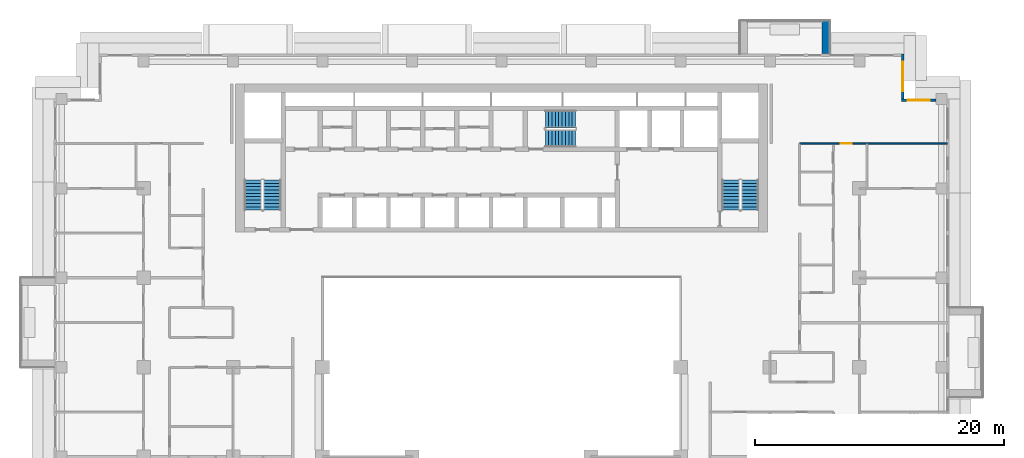
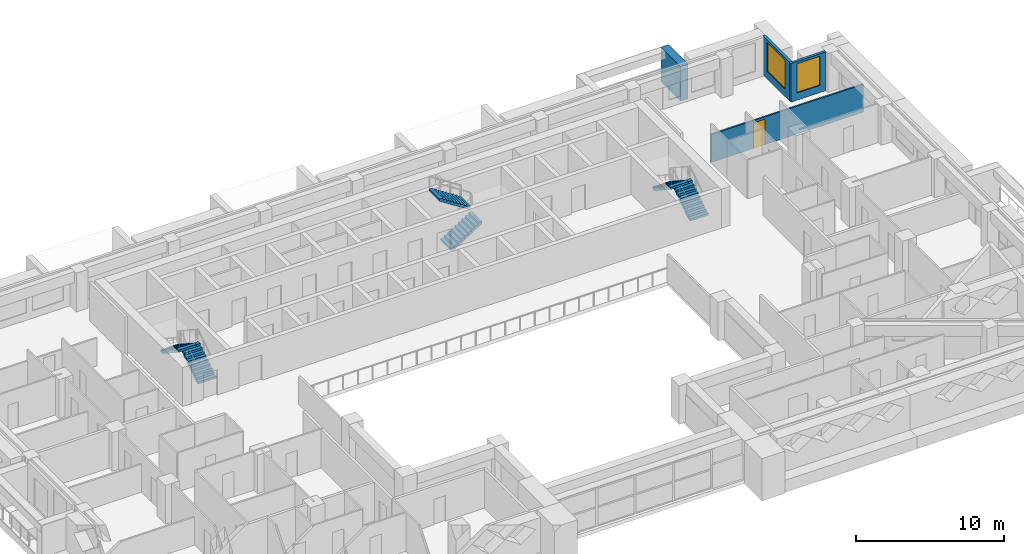
# One storey, part 12 of 19: 6 stair flights, 4 walls, 2 windows, 1 door, 3 openings, 3 elements without a shape of their own.
"""IFC4 building model written with IfcOpenShell, lengths in metres."""

from ifc_helpers import new_model, si_unit, direction, frame, frame_2d, origin, place, context, subcontext, project, spatial, polyline, rectangle, outline, extrude, material, layer, layer_set, type_object, element, fill, aggregate, save


model = new_model("IFC4")

# Units and contexts
model_context = context("Model", 3, precision=1e-05, world=origin(), true_north=direction((0.0, 1.0)))
body_context = subcontext(model_context, "Body", "Model", "MODEL_VIEW")
ifc_project = project(units=[si_unit("LENGTHUNIT", "METRE"), si_unit("AREAUNIT", "SQUARE_METRE"), si_unit("VOLUMEUNIT", "CUBIC_METRE"), si_unit("PLANEANGLEUNIT", "RADIAN"), si_unit("MASSUNIT", "GRAM", prefix="KILO")], contexts=[model_context])

# Site, building, storey
site_placement = place(None, origin())
site = spatial("IfcSite", under=ifc_project, at=site_placement, CompositionType="ELEMENT")
building_placement = place(site_placement, origin())
building = spatial("IfcBuilding", under=site, at=building_placement, Name="Saffron Iwan Residences", CompositionType="ELEMENT")
storey_placement = place(building_placement, frame((0.0, 0.0, 120.0)))
storey = spatial("IfcBuildingStorey", under=building, at=storey_placement, Name="L31", CompositionType="ELEMENT", Elevation=120.0)

# Wall
ifc_material_1 = material(Name="Concrete C50/60 white painted", Category="concrete")
ifc_layer_1 = layer(ifc_material_1, 0.60009765625)
ifc_layer_set_1 = layer_set([ifc_layer_1], Name="Concrete C50/60 white painted")
wall_type_1 = type_object("IfcWallType", Name="BALCONY FIN 600", PredefinedType="SOLIDWALL", material=ifc_layer_set_1)
wall_1_placement = place(storey_placement, frame((76.5, 80.449951171875, 0.0), z_axis=(0.0, 0.0, 1.0), x_axis=(0.0, 1.0, 0.0)))
element("IfcWall", 1, at=wall_1_placement, inside=storey, type_object=wall_type_1, Name="Balcony fin L31 F5-0a", PredefinedType="SOLIDWALL", context=body_context, shape_type="SweptSolid", body=[
    extrude(rectangle(XDim=2.650146484375, YDim=0.60009765625, at=frame_2d((1.3251953125, 0.0))), origin(), (0.0, 0.0, 1.0), 2.85009765625),
])

# Wall, opening, window
ifc_material_2 = material(Name="Concrete C40/50", Category="concrete")
ifc_layer_2 = layer(ifc_material_2, 0.199951171875)
ifc_layer_set_2 = layer_set([ifc_layer_2], Name="Concrete C40/50")
wall_type_2 = type_object("IfcWallType", Name="EXTERNAL WALL 200", PredefinedType="SOLIDWALL", material=ifc_layer_set_2)
wall_2_placement = place(storey_placement, frame((85.35009765625, 76.699951171875, 0.0), z_axis=(0.0, 0.0, 1.0), x_axis=(-1.0, 0.0, 0.0)))
wall_2 = element("IfcWall", 2, at=wall_2_placement, inside=storey, type_object=wall_type_2, Name="External wall L31 F3.0", PredefinedType="SOLIDWALL", context=body_context, shape_type="SweptSolid", body=[
    extrude(rectangle(XDim=2.75, YDim=0.199951171875, at=frame_2d((1.375, 0.0))), origin(), (0.0, 0.0, 1.0), 3.199951171875),
])
opening_1_placement = place(wall_2_placement, frame((0.47509765625, 0.0, 0.60009765625)))
opening_1 = element("IfcOpeningElement", 3, at=opening_1_placement, cuts=wall_2, Name="Opening W8", PredefinedType="OPENING", context=body_context, shape_type="SweptSolid", body=[
    extrude(rectangle(XDim=1.800048828125, YDim=2.39990234375, at=frame_2d((0.89990234375, 1.199951171875))), frame((0.0, 0.10986328125, 0.0), z_axis=(0.0, -1.0, 0.0), x_axis=(1.0, 0.0, 0.0)), (0.0, 0.0, 1.0), 0.219970703125),
])
ifc_material_3 = material(Name="Clear glass, laminated double glazed", Category="glass")
window_type_1 = type_object("IfcWindowType", Name="WINDOW 1800 x 2400", PartitioningType="DOUBLE_PANEL_VERTICAL", PredefinedType="WINDOW", material=ifc_material_3)
window_1_placement = place(opening_1_placement, origin())
window_1 = element("IfcWindow", 4, at=window_1_placement, inside=storey, type_object=window_type_1, Name="Window L31 F3.0", OverallHeight=2.39990234375, OverallWidth=1.800048828125, PartitioningType="DOUBLE_PANEL_VERTICAL", PredefinedType="WINDOW", context=body_context, shape_type="SweptSolid", body=[
    extrude(rectangle(XDim=1.800048828125, YDim=2.39990234375, at=frame_2d((0.89990234375, 1.199951171875))), frame((0.0, 0.030029296875, 0.0), z_axis=(0.0, -1.0, 0.0), x_axis=(1.0, 0.0, 0.0)), (0.0, 0.0, 1.0), 0.06005859375),
])
fill(opening_1, window_1)

wall_3_placement = place(storey_placement, frame((82.699951171875, 76.800048828125, 0.0), z_axis=(0.0, 0.0, 1.0), x_axis=(0.0, 1.0, 0.0)))
wall_3 = element("IfcWall", 5, at=wall_3_placement, inside=storey, type_object=wall_type_2, Name="External wall L31 F4.0", PredefinedType="SOLIDWALL", context=body_context, shape_type="SweptSolid", body=[
    extrude(rectangle(XDim=3.599853515625, YDim=0.199951171875, at=frame_2d((1.7998046875, 0.0))), origin(), (0.0, 0.0, 1.0), 3.199951171875),
])
opening_2_placement = place(wall_3_placement, frame((0.60009765625, 0.0, 0.60009765625)))
opening_2 = element("IfcOpeningElement", 6, at=opening_2_placement, cuts=wall_3, Name="Opening W1", PredefinedType="OPENING", context=body_context, shape_type="SweptSolid", body=[
    extrude(rectangle(XDim=2.39990234375, YDim=2.39990234375, at=frame_2d((1.199951171875, 1.199951171875))), frame((0.0, 0.10986328125, 0.0), z_axis=(0.0, -1.0, 0.0), x_axis=(1.0, 0.0, 0.0)), (0.0, 0.0, 1.0), 0.219970703125),
])
window_type_2 = type_object("IfcWindowType", Name="WINDOW 2400 x 2400", PartitioningType="DOUBLE_PANEL_VERTICAL", PredefinedType="WINDOW", material=ifc_material_3)
window_2_placement = place(opening_2_placement, origin())
window_2 = element("IfcWindow", 7, at=window_2_placement, inside=storey, type_object=window_type_2, Name="Window L31 F4.0", OverallHeight=2.39990234375, OverallWidth=2.39990234375, PartitioningType="DOUBLE_PANEL_VERTICAL", PredefinedType="WINDOW", context=body_context, shape_type="SweptSolid", body=[
    extrude(rectangle(XDim=2.39990234375, YDim=2.39990234375, at=frame_2d((1.199951171875, 1.199951171875))), frame((0.0, 0.030029296875, 0.0), z_axis=(0.0, -1.0, 0.0), x_axis=(1.0, 0.0, 0.0)), (0.0, 0.0, 1.0), 0.06005859375),
])
fill(opening_2, window_2)

# Wall, opening, door
ifc_material_4 = material(Name="Gypsum board partition")
ifc_layer_3 = layer(ifc_material_4, 0.1201171875)
ifc_layer_set_3 = layer_set([ifc_layer_3], Name="Gypsum board partition")
wall_type_3 = type_object("IfcWallType", Name="Flat partition 120", PredefinedType="PARTITIONING", material=ifc_layer_set_3)
wall_4_placement = place(storey_placement, frame((74.39990234375, 73.199951171875, 0.0), z_axis=(0.0, 0.0, 1.0), x_axis=(1.0, 0.0, 0.0)))
wall_4 = element("IfcWall", 8, at=wall_4_placement, inside=storey, type_object=wall_type_3, Name="W-L31-PART-h73.2-74.4", PredefinedType="PARTITIONING", context=body_context, shape_type="SweptSolid", body=[
    extrude(rectangle(XDim=11.875, YDim=0.1201171875, at=frame_2d((5.9375, 0.0))), origin(), (0.0, 0.0, 1.0), 2.300048828125),
])
opening_3_placement = place(wall_4_placement, frame((3.300048828125, 0.0, 0.0)))
opening_3 = element("IfcOpeningElement", 9, at=opening_3_placement, cuts=wall_4, Name="Opening FD2", PredefinedType="OPENING", context=body_context, shape_type="SweptSolid", body=[
    extrude(rectangle(XDim=0.89990234375, YDim=2.10009765625, at=frame_2d((0.449951171875, 1.050048828125))), frame((0.0, 0.070068359375, 0.0), z_axis=(0.0, -1.0, 0.0), x_axis=(1.0, 0.0, 0.0)), (0.0, 0.0, 1.0), 0.14013671875),
])
ifc_material_5 = material(Name="Timber door", Category="wood")
door_type = type_object("IfcDoorType", Name="Flat door 900", OperationType="NOTDEFINED", PredefinedType="DOOR", material=ifc_material_5)
door_placement = place(opening_3_placement, origin())
door = element("IfcDoor", 10, at=door_placement, inside=storey, type_object=door_type, Name="Door L31-033", OperationType="SINGLE_SWING_RIGHT", OverallHeight=2.10009765625, OverallWidth=0.89990234375, PredefinedType="DOOR", context=body_context, shape_type="SweptSolid", body=[
    extrude(rectangle(XDim=0.89990234375, YDim=2.10009765625, at=frame_2d((0.449951171875, 1.050048828125))), frame((0.0, 0.02490234375, 0.0), z_axis=(0.0, -1.0, 0.0), x_axis=(1.0, 0.0, 0.0)), (0.0, 0.0, 1.0), 0.050048828125),
])
fill(opening_3, door)

# Stair, stair flights
ifc_material_6 = material(Name="Concrete C50/60", Category="concrete")
stair_type = type_object("IfcStairType", Name="Stair ST-CORE", PredefinedType="HALF_TURN_STAIR", material=ifc_material_6)
stair_1_placement = place(storey_placement, origin())
stair_1 = element("IfcStair", 11, at=stair_1_placement, inside=storey, type_object=stair_type, Name="L31 Exit Stair ST-W", PredefinedType="HALF_TURN_STAIR")
ifc_layer_4 = layer(ifc_material_6, 0.14990234375)
ifc_layer_set_4 = layer_set([ifc_layer_4], Name="Concrete C50/60")
stair_flight_type = type_object("IfcStairFlightType", Name="Stair flight SFL-RC", PredefinedType="STRAIGHT", material=ifc_layer_set_4)
stair_flight_1_placement = place(storey_placement, frame((31.949951171875, 67.85009765625, 0.0), z_axis=(0.0, 0.0, 1.0), x_axis=(0.0, 1.0, 0.0)))
stair_flight_1 = element("IfcStairFlight", 12, at=stair_flight_1_placement, type_object=stair_flight_type, Name="ST-W flight 1", NumberOfRisers=10, NumberOfTreads=9, PredefinedType="STRAIGHT", RiserHeight=0.175, TreadLength=0.27, context=body_context, shape_type="SweptSolid", body=[
    extrude(outline(polyline([(0.0, 0.0), (0.0, 0.175048828125), (0.27001953125, 0.175048828125), (0.27001953125, 0.35009765625), (0.5400390625, 0.35009765625), (0.5400390625, 0.52490234375), (0.81005859375, 0.52490234375), (0.81005859375, 0.699951171875), (1.080078125, 0.699951171875), (1.080078125, 0.875), (1.35009765625, 0.875), (1.35009765625, 1.050048828125), (1.6201171875, 1.050048828125), (1.6201171875, 1.22509765625), (1.889892578125, 1.22509765625), (1.889892578125, 1.39990234375), (2.159912109375, 1.39990234375), (2.159912109375, 1.574951171875), (2.429931640625, 1.574951171875), (2.429931640625, 1.75), (2.429931640625, 1.396484375), (0.275634765625, 0.0), (0.0, 0.0)])), frame((0.0, 0.699951171875, 0.0), z_axis=(0.0, -1.0, 0.0), x_axis=(1.0, 0.0, 0.0)), (0.0, 0.0, 1.0), 1.39990234375),
])
stair_flight_2_placement = place(storey_placement, frame((30.39990234375, 70.280029296875, 1.75), z_axis=(0.0, 0.0, 1.0), x_axis=(0.0, -1.0, 0.0)))
stair_flight_2 = element("IfcStairFlight", 13, at=stair_flight_2_placement, type_object=stair_flight_type, Name="ST-W flight 2", NumberOfRisers=10, NumberOfTreads=9, PredefinedType="STRAIGHT", RiserHeight=0.175, TreadLength=0.27, context=body_context, shape_type="SweptSolid", body=[
    extrude(outline(polyline([(0.0, 0.0), (0.0, 0.175048828125), (0.27001953125, 0.175048828125), (0.27001953125, 0.35009765625), (0.5400390625, 0.35009765625), (0.5400390625, 0.52490234375), (0.81005859375, 0.52490234375), (0.81005859375, 0.699951171875), (1.080078125, 0.699951171875), (1.080078125, 0.875), (1.35009765625, 0.875), (1.35009765625, 1.050048828125), (1.6201171875, 1.050048828125), (1.6201171875, 1.22509765625), (1.889892578125, 1.22509765625), (1.889892578125, 1.39990234375), (2.159912109375, 1.39990234375), (2.159912109375, 1.574951171875), (2.429931640625, 1.574951171875), (2.429931640625, 1.75), (2.429931640625, 1.396484375), (0.275634765625, 0.0), (0.0, 0.0)])), frame((0.0, 0.699951171875, 0.0), z_axis=(0.0, -1.0, 0.0), x_axis=(1.0, 0.0, 0.0)), (0.0, 0.0, 1.0), 1.39990234375),
])
aggregate(stair_1, [stair_flight_1, stair_flight_2])

stair_2_placement = place(storey_placement, origin())
stair_2 = element("IfcStair", 14, at=stair_2_placement, inside=storey, type_object=stair_type, Name="L31 Exit Stair ST-C", PredefinedType="HALF_TURN_STAIR")
stair_flight_3_placement = place(storey_placement, frame((53.925048828125, 73.625, 0.0), z_axis=(0.0, 0.0, 1.0), x_axis=(1.0, 0.0, 0.0)))
stair_flight_3 = element("IfcStairFlight", 15, at=stair_flight_3_placement, type_object=stair_flight_type, Name="ST-C flight 1", NumberOfRisers=10, NumberOfTreads=9, PredefinedType="STRAIGHT", RiserHeight=0.175, TreadLength=0.27, context=body_context, shape_type="SweptSolid", body=[
    extrude(outline(polyline([(0.0, 0.0), (0.0, 0.175048828125), (0.27001953125, 0.175048828125), (0.27001953125, 0.35009765625), (0.5400390625, 0.35009765625), (0.5400390625, 0.52490234375), (0.81005859375, 0.52490234375), (0.81005859375, 0.699951171875), (1.080078125, 0.699951171875), (1.080078125, 0.875), (1.35009765625, 0.875), (1.35009765625, 1.050048828125), (1.6201171875, 1.050048828125), (1.6201171875, 1.22509765625), (1.889892578125, 1.22509765625), (1.889892578125, 1.39990234375), (2.159912109375, 1.39990234375), (2.159912109375, 1.574951171875), (2.429931640625, 1.574951171875), (2.429931640625, 1.75), (2.429931640625, 1.396484375), (0.275634765625, 0.0), (0.0, 0.0)])), frame((0.0, 0.699951171875, 0.0), z_axis=(0.0, -1.0, 0.0), x_axis=(1.0, 0.0, 0.0)), (0.0, 0.0, 1.0), 1.39990234375),
])
stair_flight_4_placement = place(storey_placement, frame((56.35498046875, 75.175048828125, 1.75), z_axis=(0.0, 0.0, 1.0), x_axis=(-1.0, 0.0, 0.0)))
stair_flight_4 = element("IfcStairFlight", 16, at=stair_flight_4_placement, type_object=stair_flight_type, Name="ST-C flight 2", NumberOfRisers=10, NumberOfTreads=9, PredefinedType="STRAIGHT", RiserHeight=0.175, TreadLength=0.27, context=body_context, shape_type="SweptSolid", body=[
    extrude(outline(polyline([(0.0, 0.0), (0.0, 0.175048828125), (0.27001953125, 0.175048828125), (0.27001953125, 0.35009765625), (0.5400390625, 0.35009765625), (0.5400390625, 0.52490234375), (0.81005859375, 0.52490234375), (0.81005859375, 0.699951171875), (1.080078125, 0.699951171875), (1.080078125, 0.875), (1.35009765625, 0.875), (1.35009765625, 1.050048828125), (1.6201171875, 1.050048828125), (1.6201171875, 1.22509765625), (1.889892578125, 1.22509765625), (1.889892578125, 1.39990234375), (2.159912109375, 1.39990234375), (2.159912109375, 1.574951171875), (2.429931640625, 1.574951171875), (2.429931640625, 1.75), (2.429931640625, 1.396484375), (0.275634765625, 0.0), (0.0, 0.0)])), frame((0.0, 0.699951171875, 0.0), z_axis=(0.0, -1.0, 0.0), x_axis=(1.0, 0.0, 0.0)), (0.0, 0.0, 1.0), 1.39990234375),
])
aggregate(stair_2, [stair_flight_3, stair_flight_4])

stair_3_placement = place(storey_placement, origin())
stair_3 = element("IfcStair", 17, at=stair_3_placement, inside=storey, type_object=stair_type, Name="L31 Exit Stair ST-E", PredefinedType="HALF_TURN_STAIR")
stair_flight_5_placement = place(storey_placement, frame((70.39990234375, 67.85009765625, 0.0), z_axis=(0.0, 0.0, 1.0), x_axis=(0.0, 1.0, 0.0)))
stair_flight_5 = element("IfcStairFlight", 18, at=stair_flight_5_placement, type_object=stair_flight_type, Name="ST-E flight 1", NumberOfRisers=10, NumberOfTreads=9, PredefinedType="STRAIGHT", RiserHeight=0.175, TreadLength=0.27, context=body_context, shape_type="SweptSolid", body=[
    extrude(outline(polyline([(0.0, 0.0), (0.0, 0.175048828125), (0.27001953125, 0.175048828125), (0.27001953125, 0.35009765625), (0.5400390625, 0.35009765625), (0.5400390625, 0.52490234375), (0.81005859375, 0.52490234375), (0.81005859375, 0.699951171875), (1.080078125, 0.699951171875), (1.080078125, 0.875), (1.35009765625, 0.875), (1.35009765625, 1.050048828125), (1.6201171875, 1.050048828125), (1.6201171875, 1.22509765625), (1.889892578125, 1.22509765625), (1.889892578125, 1.39990234375), (2.159912109375, 1.39990234375), (2.159912109375, 1.574951171875), (2.429931640625, 1.574951171875), (2.429931640625, 1.75), (2.429931640625, 1.396484375), (0.275634765625, 0.0), (0.0, 0.0)])), frame((0.0, 0.699951171875, 0.0), z_axis=(0.0, -1.0, 0.0), x_axis=(1.0, 0.0, 0.0)), (0.0, 0.0, 1.0), 1.39990234375),
])
stair_flight_6_placement = place(storey_placement, frame((68.85009765625, 70.280029296875, 1.75), z_axis=(0.0, 0.0, 1.0), x_axis=(0.0, -1.0, 0.0)))
stair_flight_6 = element("IfcStairFlight", 19, at=stair_flight_6_placement, type_object=stair_flight_type, Name="ST-E flight 2", NumberOfRisers=10, NumberOfTreads=9, PredefinedType="STRAIGHT", RiserHeight=0.175, TreadLength=0.27, context=body_context, shape_type="SweptSolid", body=[
    extrude(outline(polyline([(0.0, 0.0), (0.0, 0.175048828125), (0.27001953125, 0.175048828125), (0.27001953125, 0.35009765625), (0.5400390625, 0.35009765625), (0.5400390625, 0.52490234375), (0.81005859375, 0.52490234375), (0.81005859375, 0.699951171875), (1.080078125, 0.699951171875), (1.080078125, 0.875), (1.35009765625, 0.875), (1.35009765625, 1.050048828125), (1.6201171875, 1.050048828125), (1.6201171875, 1.22509765625), (1.889892578125, 1.22509765625), (1.889892578125, 1.39990234375), (2.159912109375, 1.39990234375), (2.159912109375, 1.574951171875), (2.429931640625, 1.574951171875), (2.429931640625, 1.75), (2.429931640625, 1.396484375), (0.275634765625, 0.0), (0.0, 0.0)])), frame((0.0, 0.699951171875, 0.0), z_axis=(0.0, -1.0, 0.0), x_axis=(1.0, 0.0, 0.0)), (0.0, 0.0, 1.0), 1.39990234375),
])
aggregate(stair_3, [stair_flight_5, stair_flight_6])

save(model, "model.ifc")
